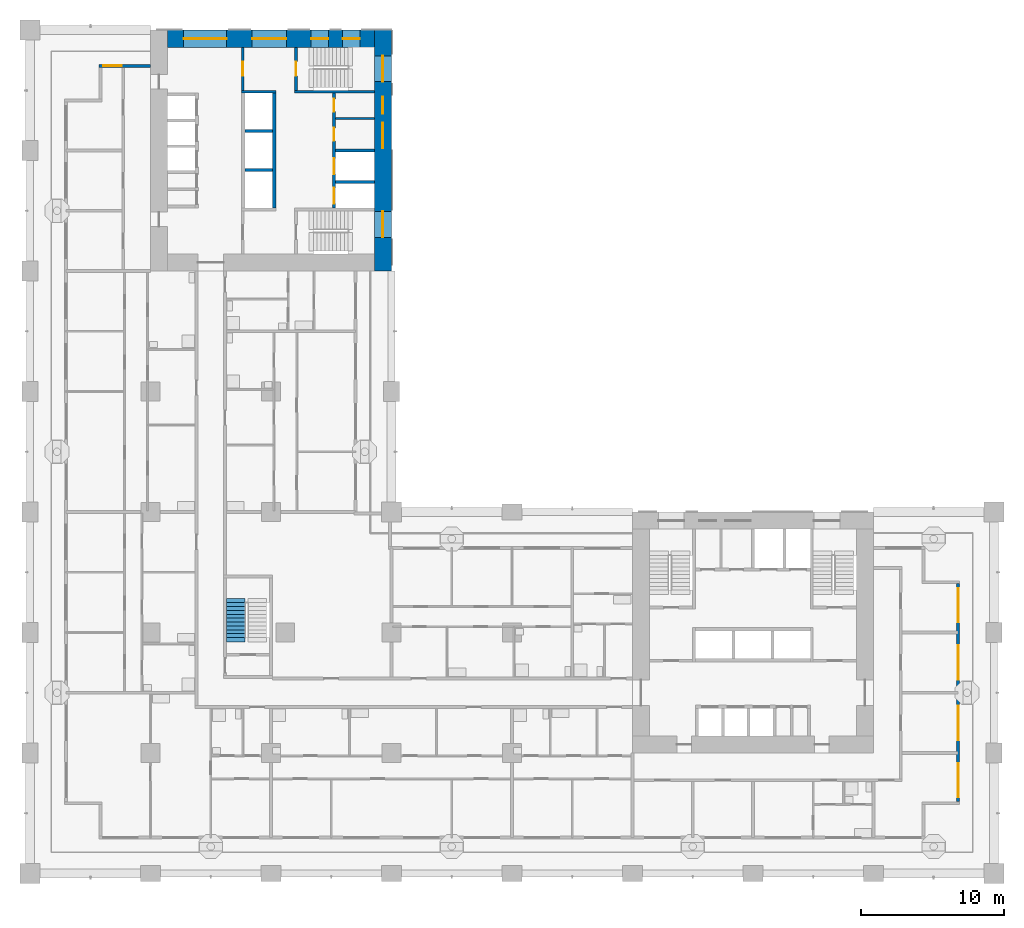
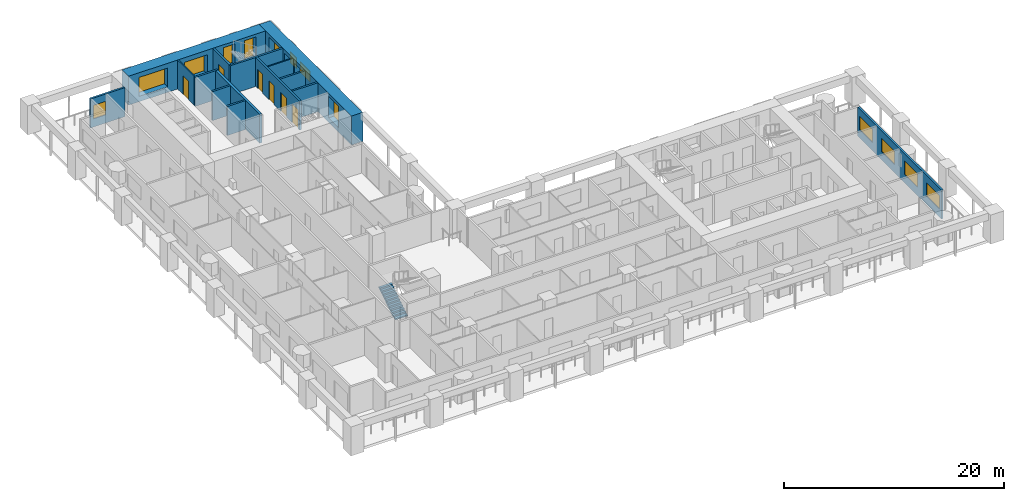
# One storey, part 9 of 20: 15 walls, 13 windows, 6 doors, 1 stair flight, 19 openings, 1 element without a shape of its own.
"""IFC4 building model written with IfcOpenShell, lengths in metres."""

from ifc_helpers import new_model, si_unit, direction, frame, frame_2d, origin, place, context, subcontext, project, spatial, polyline, rectangle, outline, extrude, material, layer, layer_set, type_object, element, fill, aggregate, save


model = new_model("IFC4")

# Units and contexts
model_context = context("Model", 3, precision=1e-05, world=origin(), true_north=direction((0.0, 1.0)))
body_context = subcontext(model_context, "Body", "Model", "MODEL_VIEW")
ifc_project = project(units=[si_unit("LENGTHUNIT", "METRE"), si_unit("AREAUNIT", "SQUARE_METRE"), si_unit("VOLUMEUNIT", "CUBIC_METRE"), si_unit("PLANEANGLEUNIT", "RADIAN"), si_unit("MASSUNIT", "GRAM", prefix="KILO")], contexts=[model_context])

# Site, building, storey
site_placement = place(None, origin())
site = spatial("IfcSite", under=ifc_project, at=site_placement, CompositionType="ELEMENT")
building_placement = place(site_placement, origin())
building = spatial("IfcBuilding", under=site, at=building_placement, Name="Vermilion Gate Residences", CompositionType="ELEMENT")
storey_placement = place(building_placement, frame((0.0, 0.0, 39.199951171875)))
storey = spatial("IfcBuildingStorey", under=building, at=storey_placement, Name="L08", CompositionType="ELEMENT", Elevation=39.199951171875)

# Wall
ifc_material_1 = material(Name="Masonry blockwork", Category="masonry")
ifc_layer_1 = layer(ifc_material_1, 0.14990234375)
ifc_layer_set_1 = layer_set([ifc_layer_1], Name="BLOCKWORK PARTITION 150 EI 120")
wall_type_1 = type_object("IfcWallType", Name="BLOCKWORK PARTITION 150 EI 120", PredefinedType="PARTITIONING", material=ifc_layer_set_1)
wall_1_placement = place(storey_placement, frame((21.300048828125, 52.637451171875, 0.0), z_axis=(0.0, 0.0, 1.0), x_axis=(1.0, 0.0, 0.0)))
element("IfcWall", 1, at=wall_1_placement, inside=storey, type_object=wall_type_1, Name="Core room partition B08-NR-P0", PredefinedType="PARTITIONING", context=body_context, shape_type="SweptSolid", body=[
    extrude(rectangle(XDim=2.699951171875, YDim=0.14990234375, at=frame_2d((1.35009765625, 0.0))), origin(), (0.0, 0.0, 1.0), 3.219970703125),
])

# Wall, opening, door
wall_2_placement = place(storey_placement, frame((14.824951171875, 57.60009765625, 0.0), z_axis=(0.0, 0.0, 1.0), x_axis=(0.0, -1.0, 0.0)))
wall_2 = element("IfcWall", 2, at=wall_2_placement, inside=storey, type_object=wall_type_1, Name="Core room partition B08-VW-S", PredefinedType="PARTITIONING", context=body_context, shape_type="SweptSolid", body=[
    extrude(rectangle(XDim=3.0, YDim=0.14990234375, at=frame_2d((1.5, 0.0))), origin(), (0.0, 0.0, 1.0), 3.219970703125),
])
opening_1_placement = place(wall_2_placement, frame((1.0, 0.0, 0.0)))
opening_1 = element("IfcOpeningElement", 3, at=opening_1_placement, cuts=wall_2, Name="Opening DK08113", PredefinedType="OPENING", context=body_context, shape_type="SweptSolid", body=[
    extrude(rectangle(XDim=1.0, YDim=2.10009765625, at=frame_2d((0.5, 1.050048828125))), frame((0.0, 0.0849609375, 0.0), z_axis=(0.0, -1.0, 0.0), x_axis=(1.0, 0.0, 0.0)), (0.0, 0.0, 1.0), 0.169921875),
])
ifc_material_2 = material(Name="Steel", Category="steel")
door_type_1 = type_object("IfcDoorType", Name="FIRE DOOR FD60 1000 X 2100", OperationType="SINGLE_SWING_LEFT", PredefinedType="DOOR", material=ifc_material_2)
door_1_placement = place(opening_1_placement, frame((1.0, 0.0, 0.0), z_axis=(0.0, 0.0, 1.0), x_axis=(-1.0, 0.0, 0.0)))
door_1 = element("IfcDoor", 4, at=door_1_placement, inside=storey, type_object=door_type_1, Name="Stair vestibule door B08", OperationType="SINGLE_SWING_RIGHT", OverallHeight=2.10009765625, OverallWidth=1.0, PredefinedType="DOOR", context=body_context, shape_type="SweptSolid", body=[
    extrude(rectangle(XDim=1.0, YDim=2.10009765625, at=frame_2d((0.5, 1.050048828125))), frame((0.0, 0.02490234375, 0.0), z_axis=(0.0, -1.0, 0.0), x_axis=(1.0, 0.0, 0.0)), (0.0, 0.0, 1.0), 0.050048828125),
])
fill(opening_1, door_1)

# Wall, opening, window
ifc_material_3 = material(Name="Insulated steel stud wall with terracotta rainscreen", Category="masonry")
ifc_layer_2 = layer(ifc_material_3, 0.199951171875)
ifc_layer_set_2 = layer_set([ifc_layer_2], Name="EXTERNAL WALL 200 TERRACOTTA RAINSCREEN")
wall_type_2 = type_object("IfcWallType", Name="EXTERNAL WALL 200 TERRACOTTA RAINSCREEN", PredefinedType="SOLIDWALL", material=ifc_layer_set_2)
wall_3_placement = place(storey_placement, frame((8.39990234375, 56.300048828125, 0.0), z_axis=(0.0, 0.0, 1.0), x_axis=(-1.0, 0.0, 0.0)))
wall_3 = element("IfcWall", 5, at=wall_3_placement, inside=storey, type_object=wall_type_2, Name="External wall", PredefinedType="SOLIDWALL", context=body_context, shape_type="SweptSolid", body=[
    extrude(rectangle(XDim=3.599853515625, YDim=0.199951171875, at=frame_2d((1.7998046875, 0.0))), origin(), (0.0, 0.0, 1.0), 3.219970703125),
])
opening_2_placement = place(wall_3_placement, frame((2.0, 0.0, 0.89990234375)))
opening_2 = element("IfcOpeningElement", 6, at=opening_2_placement, cuts=wall_3, Name="Opening WE08001", PredefinedType="OPENING", context=body_context, shape_type="SweptSolid", body=[
    extrude(rectangle(XDim=1.300048828125, YDim=1.5, at=frame_2d((0.64990234375, 0.75))), frame((0.0, 0.10986328125, 0.0), z_axis=(0.0, -1.0, 0.0), x_axis=(1.0, 0.0, 0.0)), (0.0, 0.0, 1.0), 0.219970703125),
])
ifc_material_4 = material(Name="Aluminium and clear glass", Category="aluminium")
window_type_1 = type_object("IfcWindowType", Name="WINDOW 1300 X 1500", PartitioningType="SINGLE_PANEL", PredefinedType="WINDOW", material=ifc_material_4)
window_1_placement = place(opening_2_placement, origin())
window_1 = element("IfcWindow", 7, at=window_1_placement, inside=storey, type_object=window_type_1, Name="Window", OverallHeight=1.5, OverallWidth=1.300048828125, PartitioningType="SINGLE_PANEL", PredefinedType="WINDOW", context=body_context, shape_type="SweptSolid", body=[
    extrude(rectangle(XDim=1.300048828125, YDim=1.5, at=frame_2d((0.64990234375, 0.75))), frame((0.0, 0.030029296875, 0.0), z_axis=(0.0, -1.0, 0.0), x_axis=(1.0, 0.0, 0.0)), (0.0, 0.0, 1.0), 0.06005859375),
])
fill(opening_2, window_1)

# Wall, openings, windows
wall_4_placement = place(storey_placement, frame((64.699951171875, 5.0, 0.0), z_axis=(0.0, 0.0, 1.0), x_axis=(0.0, 1.0, 0.0)))
wall_4 = element("IfcWall", 8, at=wall_4_placement, inside=storey, type_object=wall_type_2, Name="External wall", PredefinedType="SOLIDWALL", context=body_context, shape_type="SweptSolid", body=[
    extrude(rectangle(XDim=15.199951171875, YDim=0.199951171875, at=frame_2d((7.60009765625, 0.0))), origin(), (0.0, 0.0, 1.0), 3.219970703125),
])
opening_3_placement = place(wall_4_placement, frame((0.300048828125, 0.0, 0.89990234375)))
opening_3 = element("IfcOpeningElement", 9, at=opening_3_placement, cuts=wall_4, Name="Opening WE08028", PredefinedType="OPENING", context=body_context, shape_type="SweptSolid", body=[
    extrude(rectangle(XDim=2.39990234375, YDim=1.5, at=frame_2d((1.199951171875, 0.75))), frame((0.0, 0.10986328125, 0.0), z_axis=(0.0, -1.0, 0.0), x_axis=(1.0, 0.0, 0.0)), (0.0, 0.0, 1.0), 0.219970703125),
])
opening_4_placement = place(wall_4_placement, frame((4.300048828125, 0.0, 0.89990234375)))
opening_4 = element("IfcOpeningElement", 10, at=opening_4_placement, cuts=wall_4, Name="Opening WE08029", PredefinedType="OPENING", context=body_context, shape_type="SweptSolid", body=[
    extrude(rectangle(XDim=2.39990234375, YDim=1.5, at=frame_2d((1.199951171875, 0.75))), frame((0.0, 0.10986328125, 0.0), z_axis=(0.0, -1.0, 0.0), x_axis=(1.0, 0.0, 0.0)), (0.0, 0.0, 1.0), 0.219970703125),
])
opening_5_placement = place(wall_4_placement, frame((8.5, 0.0, 0.89990234375)))
opening_5 = element("IfcOpeningElement", 11, at=opening_5_placement, cuts=wall_4, Name="Opening WE08030", PredefinedType="OPENING", context=body_context, shape_type="SweptSolid", body=[
    extrude(rectangle(XDim=2.39990234375, YDim=1.5, at=frame_2d((1.199951171875, 0.75))), frame((0.0, 0.10986328125, 0.0), z_axis=(0.0, -1.0, 0.0), x_axis=(1.0, 0.0, 0.0)), (0.0, 0.0, 1.0), 0.219970703125),
])
opening_6_placement = place(wall_4_placement, frame((12.5, 0.0, 0.89990234375)))
opening_6 = element("IfcOpeningElement", 12, at=opening_6_placement, cuts=wall_4, Name="Opening WE08031", PredefinedType="OPENING", context=body_context, shape_type="SweptSolid", body=[
    extrude(rectangle(XDim=2.39990234375, YDim=1.5, at=frame_2d((1.199951171875, 0.75))), frame((0.0, 0.10986328125, 0.0), z_axis=(0.0, -1.0, 0.0), x_axis=(1.0, 0.0, 0.0)), (0.0, 0.0, 1.0), 0.219970703125),
])
ifc_material_5 = material(Name="Aluminium and clear glass", Category="aluminium")
window_type_2 = type_object("IfcWindowType", Name="WINDOW 2400 X 1500", PartitioningType="SINGLE_PANEL", PredefinedType="WINDOW", material=ifc_material_5)
window_2_placement = place(opening_3_placement, origin())
window_2 = element("IfcWindow", 13, at=window_2_placement, inside=storey, type_object=window_type_2, Name="Window", OverallHeight=1.5, OverallWidth=2.39990234375, PartitioningType="SINGLE_PANEL", PredefinedType="WINDOW", context=body_context, shape_type="SweptSolid", body=[
    extrude(rectangle(XDim=2.39990234375, YDim=1.5, at=frame_2d((1.199951171875, 0.75))), frame((0.0, 0.030029296875, 0.0), z_axis=(0.0, -1.0, 0.0), x_axis=(1.0, 0.0, 0.0)), (0.0, 0.0, 1.0), 0.06005859375),
])
fill(opening_3, window_2)
window_3_placement = place(opening_4_placement, origin())
window_3 = element("IfcWindow", 14, at=window_3_placement, inside=storey, type_object=window_type_2, Name="Window", OverallHeight=1.5, OverallWidth=2.39990234375, PartitioningType="SINGLE_PANEL", PredefinedType="WINDOW", context=body_context, shape_type="SweptSolid", body=[
    extrude(rectangle(XDim=2.39990234375, YDim=1.5, at=frame_2d((1.199951171875, 0.75))), frame((0.0, 0.030029296875, 0.0), z_axis=(0.0, -1.0, 0.0), x_axis=(1.0, 0.0, 0.0)), (0.0, 0.0, 1.0), 0.06005859375),
])
fill(opening_4, window_3)
window_4_placement = place(opening_5_placement, origin())
window_4 = element("IfcWindow", 15, at=window_4_placement, inside=storey, type_object=window_type_2, Name="Window", OverallHeight=1.5, OverallWidth=2.39990234375, PartitioningType="SINGLE_PANEL", PredefinedType="WINDOW", context=body_context, shape_type="SweptSolid", body=[
    extrude(rectangle(XDim=2.39990234375, YDim=1.5, at=frame_2d((1.199951171875, 0.75))), frame((0.0, 0.030029296875, 0.0), z_axis=(0.0, -1.0, 0.0), x_axis=(1.0, 0.0, 0.0)), (0.0, 0.0, 1.0), 0.06005859375),
])
fill(opening_5, window_4)
window_5_placement = place(opening_6_placement, origin())
window_5 = element("IfcWindow", 16, at=window_5_placement, inside=storey, type_object=window_type_2, Name="Window", OverallHeight=1.5, OverallWidth=2.39990234375, PartitioningType="SINGLE_PANEL", PredefinedType="WINDOW", context=body_context, shape_type="SweptSolid", body=[
    extrude(rectangle(XDim=2.39990234375, YDim=1.5, at=frame_2d((1.199951171875, 0.75))), frame((0.0, 0.030029296875, 0.0), z_axis=(0.0, -1.0, 0.0), x_axis=(1.0, 0.0, 0.0)), (0.0, 0.0, 1.0), 0.06005859375),
])
fill(opening_6, window_5)

# Walls
ifc_material_6 = material(Name="Concrete C60", Category="concrete")
ifc_layer_3 = layer(ifc_material_6, 0.199951171875)
ifc_layer_set_3 = layer_set([ifc_layer_3], Name="RC CORE INTERNAL WALL 200 C60")
wall_type_3 = type_object("IfcWallType", Name="RC CORE INTERNAL WALL 200 C60", PredefinedType="SHEAR", material=ifc_layer_set_3)
for number, where, z_axis, x_axis, name in (
    (17, (15.0, 51.7666015625, 0.0), (0.0, 0.0, 1.0), (1.0, 0.0, 0.0), "Core internal wall B08-HR-D1"),
    (18, (15.0, 49.033447265625, 0.0), (0.0, 0.0, 1.0), (1.0, 0.0, 0.0), "Core internal wall B08-HR-D2"),
):
    element("IfcWall", number, at=place(storey_placement, frame(where, z_axis=z_axis, x_axis=x_axis)), inside=storey, type_object=wall_type_3, Name=name, PredefinedType="SHEAR", context=body_context, shape_type="SweptSolid", body=[
        extrude(rectangle(XDim=1.89990234375, YDim=0.199951171875, at=frame_2d((0.949951171875, 0.0))), origin(), (0.0, 0.0, 1.0), 3.219970703125),
    ])
for number, where, z_axis, x_axis, name in (
    (19, (21.300048828125, 50.39990234375, 0.0), (0.0, 0.0, 1.0), (1.0, 0.0, 0.0), "Core internal wall B08-FF-D0"),
    (20, (21.300048828125, 48.199951171875, 0.0), (0.0, 0.0, 1.0), (1.0, 0.0, 0.0), "Core internal wall B08-FF-D1"),
):
    element("IfcWall", number, at=place(storey_placement, frame(where, z_axis=z_axis, x_axis=x_axis)), inside=storey, type_object=wall_type_3, Name=name, PredefinedType="SHEAR", context=body_context, shape_type="SweptSolid", body=[
        extrude(rectangle(XDim=2.699951171875, YDim=0.199951171875, at=frame_2d((1.35009765625, 0.0))), origin(), (0.0, 0.0, 1.0), 3.219970703125),
    ])

# Wall, openings, doors
wall_5_placement = place(storey_placement, frame((21.199951171875, 54.39990234375, 0.0), z_axis=(0.0, 0.0, 1.0), x_axis=(0.0, -1.0, 0.0)))
wall_5 = element("IfcWall", 21, at=wall_5_placement, inside=storey, type_object=wall_type_3, Name="Core internal wall B08-FF-F", PredefinedType="SHEAR", context=body_context, shape_type="SweptSolid", body=[
    extrude(rectangle(XDim=8.0, YDim=0.199951171875, at=frame_2d((4.0, 0.0))), origin(), (0.0, 0.0, 1.0), 3.219970703125),
])
opening_7_placement = place(wall_5_placement, frame((0.393798828125, 0.0, 0.0)))
opening_7 = element("IfcOpeningElement", 22, at=opening_7_placement, cuts=wall_5, Name="Opening DK08109", PredefinedType="OPENING", context=body_context, shape_type="SweptSolid", body=[
    extrude(rectangle(XDim=0.89990234375, YDim=2.10009765625, at=frame_2d((0.449951171875, 1.050048828125))), frame((0.0, 0.10986328125, 0.0), z_axis=(0.0, -1.0, 0.0), x_axis=(1.0, 0.0, 0.0)), (0.0, 0.0, 1.0), 0.219970703125),
])
opening_8_placement = place(wall_5_placement, frame((2.418701171875, 0.0, 0.0)))
opening_8 = element("IfcOpeningElement", 23, at=opening_8_placement, cuts=wall_5, Name="Opening DK08110", PredefinedType="OPENING", context=body_context, shape_type="SweptSolid", body=[
    extrude(rectangle(XDim=0.89990234375, YDim=2.10009765625, at=frame_2d((0.449951171875, 1.050048828125))), frame((0.0, 0.10986328125, 0.0), z_axis=(0.0, -1.0, 0.0), x_axis=(1.0, 0.0, 0.0)), (0.0, 0.0, 1.0), 0.219970703125),
])
opening_9_placement = place(wall_5_placement, frame((4.550048828125, 0.0, 0.0)))
opening_9 = element("IfcOpeningElement", 24, at=opening_9_placement, cuts=wall_5, Name="Opening LD", PredefinedType="OPENING", context=body_context, shape_type="SweptSolid", body=[
    extrude(rectangle(XDim=1.10009765625, YDim=2.10009765625, at=frame_2d((0.550048828125, 1.050048828125))), frame((0.0, 0.10986328125, 0.0), z_axis=(0.0, -1.0, 0.0), x_axis=(1.0, 0.0, 0.0)), (0.0, 0.0, 1.0), 0.219970703125),
])
opening_10_placement = place(wall_5_placement, frame((6.60009765625, 0.0, 0.0)))
opening_10 = element("IfcOpeningElement", 25, at=opening_10_placement, cuts=wall_5, Name="Opening LD", PredefinedType="OPENING", context=body_context, shape_type="SweptSolid", body=[
    extrude(rectangle(XDim=1.10009765625, YDim=2.10009765625, at=frame_2d((0.550048828125, 1.050048828125))), frame((0.0, 0.10986328125, 0.0), z_axis=(0.0, -1.0, 0.0), x_axis=(1.0, 0.0, 0.0)), (0.0, 0.0, 1.0), 0.219970703125),
])
ifc_material_7 = material(Name="Stainless steel", Category="steel")
door_type_2 = type_object("IfcDoorType", Name="LIFT LANDING DOOR E60 1100 X 2100", OperationType="DOUBLE_DOOR_SLIDING", PredefinedType="DOOR", material=ifc_material_7)
door_2_placement = place(opening_9_placement, origin())
door_2 = element("IfcDoor", 26, at=door_2_placement, inside=storey, type_object=door_type_2, Name="Lift landing door LFB1", OperationType="DOUBLE_DOOR_SLIDING", OverallHeight=2.10009765625, OverallWidth=1.10009765625, PredefinedType="DOOR", context=body_context, shape_type="SweptSolid", body=[
    extrude(rectangle(XDim=1.10009765625, YDim=2.10009765625, at=frame_2d((0.550048828125, 1.050048828125))), frame((0.0, 0.02490234375, 0.0), z_axis=(0.0, -1.0, 0.0), x_axis=(1.0, 0.0, 0.0)), (0.0, 0.0, 1.0), 0.050048828125),
])
fill(opening_9, door_2)
door_3_placement = place(opening_10_placement, origin())
door_3 = element("IfcDoor", 27, at=door_3_placement, inside=storey, type_object=door_type_2, Name="Lift landing door LCB1", OperationType="DOUBLE_DOOR_SLIDING", OverallHeight=2.10009765625, OverallWidth=1.10009765625, PredefinedType="DOOR", context=body_context, shape_type="SweptSolid", body=[
    extrude(rectangle(XDim=1.10009765625, YDim=2.10009765625, at=frame_2d((0.550048828125, 1.050048828125))), frame((0.0, 0.02490234375, 0.0), z_axis=(0.0, -1.0, 0.0), x_axis=(1.0, 0.0, 0.0)), (0.0, 0.0, 1.0), 0.050048828125),
])
fill(opening_10, door_3)
ifc_material_8 = material(Name="Steel", Category="steel")
door_type_3 = type_object("IfcDoorType", Name="SERVICE ROOM DOOR FD60 900 X 2100", OperationType="SINGLE_SWING_LEFT", PredefinedType="DOOR", material=ifc_material_8)
door_4_placement = place(opening_7_placement, origin())
door_4 = element("IfcDoor", 28, at=door_4_placement, inside=storey, type_object=door_type_3, Name="Communications riser B08", OperationType="SINGLE_SWING_RIGHT", OverallHeight=2.10009765625, OverallWidth=0.89990234375, PredefinedType="DOOR", context=body_context, shape_type="SweptSolid", body=[
    extrude(rectangle(XDim=0.89990234375, YDim=2.10009765625, at=frame_2d((0.449951171875, 1.050048828125))), frame((0.0, 0.02490234375, 0.0), z_axis=(0.0, -1.0, 0.0), x_axis=(1.0, 0.0, 0.0)), (0.0, 0.0, 1.0), 0.050048828125),
])
fill(opening_7, door_4)
door_5_placement = place(opening_8_placement, origin())
door_5 = element("IfcDoor", 29, at=door_5_placement, inside=storey, type_object=door_type_3, Name="Refuse room B08", OperationType="SINGLE_SWING_RIGHT", OverallHeight=2.10009765625, OverallWidth=0.89990234375, PredefinedType="DOOR", context=body_context, shape_type="SweptSolid", body=[
    extrude(rectangle(XDim=0.89990234375, YDim=2.10009765625, at=frame_2d((0.449951171875, 1.050048828125))), frame((0.0, 0.02490234375, 0.0), z_axis=(0.0, -1.0, 0.0), x_axis=(1.0, 0.0, 0.0)), (0.0, 0.0, 1.0), 0.050048828125),
])
fill(opening_8, door_5)

# Walls
wall_6_placement = place(storey_placement, frame((14.75, 54.5, 0.0), z_axis=(0.0, 0.0, 1.0), x_axis=(1.0, 0.0, 0.0)))
element("IfcWall", 30, at=wall_6_placement, inside=storey, type_object=wall_type_3, Name="Core internal wall B08-WDIV1", PredefinedType="SHEAR", context=body_context, shape_type="SweptSolid", body=[
    extrude(rectangle(XDim=2.39990234375, YDim=0.199951171875, at=frame_2d((1.199951171875, 0.0))), origin(), (0.0, 0.0, 1.0), 3.219970703125),
])
wall_7_placement = place(storey_placement, frame((18.449951171875, 54.5, 0.0), z_axis=(0.0, 0.0, 1.0), x_axis=(1.0, 0.0, 0.0)))
element("IfcWall", 31, at=wall_7_placement, inside=storey, type_object=wall_type_3, Name="Core internal wall B08-WDIV2", PredefinedType="SHEAR", context=body_context, shape_type="SweptSolid", body=[
    extrude(rectangle(XDim=5.550048828125, YDim=0.199951171875, at=frame_2d((2.77490234375, 0.0))), origin(), (0.0, 0.0, 1.0), 3.219970703125),
])

# Wall, opening, door
wall_8_placement = place(storey_placement, frame((18.550048828125, 57.60009765625, 0.0), z_axis=(0.0, 0.0, 1.0), x_axis=(0.0, -1.0, 0.0)))
wall_8 = element("IfcWall", 32, at=wall_8_placement, inside=storey, type_object=wall_type_3, Name="Core internal wall B08-STW-S", PredefinedType="SHEAR", context=body_context, shape_type="SweptSolid", body=[
    extrude(rectangle(XDim=3.0, YDim=0.199951171875, at=frame_2d((1.5, 0.0))), origin(), (0.0, 0.0, 1.0), 3.219970703125),
])
opening_11_placement = place(wall_8_placement, frame((1.0, 0.0, 0.0)))
opening_11 = element("IfcOpeningElement", 33, at=opening_11_placement, cuts=wall_8, Name="Opening DK08114", PredefinedType="OPENING", context=body_context, shape_type="SweptSolid", body=[
    extrude(rectangle(XDim=1.0, YDim=2.10009765625, at=frame_2d((0.5, 1.050048828125))), frame((0.0, 0.10986328125, 0.0), z_axis=(0.0, -1.0, 0.0), x_axis=(1.0, 0.0, 0.0)), (0.0, 0.0, 1.0), 0.219970703125),
])
door_6_placement = place(opening_11_placement, origin())
door_6 = element("IfcDoor", 34, at=door_6_placement, inside=storey, type_object=door_type_1, Name="Stair door B08", OperationType="SINGLE_SWING_LEFT", OverallHeight=2.10009765625, OverallWidth=1.0, PredefinedType="DOOR", context=body_context, shape_type="SweptSolid", body=[
    extrude(rectangle(XDim=1.0, YDim=2.10009765625, at=frame_2d((0.5, 1.050048828125))), frame((0.0, 0.02490234375, 0.0), z_axis=(0.0, -1.0, 0.0), x_axis=(1.0, 0.0, 0.0)), (0.0, 0.0, 1.0), 0.050048828125),
])
fill(opening_11, door_6)

# Wall, openings, windows
ifc_material_9 = material(Name="Concrete C80 red-oxide pigmented", Category="concrete")
ifc_layer_4 = layer(ifc_material_9, 1.199951171875)
ifc_layer_set_4 = layer_set([ifc_layer_4], Name="RC CORE WALL 1200 C80 RED OXIDE")
wall_type_4 = type_object("IfcWallType", Name="RC CORE WALL 1200 C80 RED OXIDE", PredefinedType="SHEAR", material=ifc_layer_set_4)
wall_9_placement = place(storey_placement, frame((24.60009765625, 58.800048828125, 0.0), z_axis=(0.0, 0.0, 1.0), x_axis=(0.0, -1.0, 0.0)))
wall_9 = element("IfcWall", 35, at=wall_9_placement, inside=storey, type_object=wall_type_4, Name="Core wall B08-OUT-B1", PredefinedType="SHEAR", context=body_context, shape_type="SweptSolid", body=[
    extrude(rectangle(XDim=16.800048828125, YDim=1.199951171875, at=frame_2d((8.39990234375, 0.0))), origin(), (0.0, 0.0, 1.0), 3.219970703125),
])
opening_12_placement = place(wall_9_placement, frame((1.800048828125, 0.0, 0.5)))
opening_12 = element("IfcOpeningElement", 36, at=opening_12_placement, cuts=wall_9, Name="Opening WKB0801", PredefinedType="OPENING", context=body_context, shape_type="SweptSolid", body=[
    extrude(rectangle(XDim=1.800048828125, YDim=2.39990234375, at=frame_2d((0.89990234375, 1.199951171875))), frame((0.0, 0.60986328125, 0.0), z_axis=(0.0, -1.0, 0.0), x_axis=(1.0, 0.0, 0.0)), (0.0, 0.0, 1.0), 1.219970703125),
])
opening_13_placement = place(wall_9_placement, frame((4.643798828125, 0.0, 1.60009765625)))
opening_13 = element("IfcOpeningElement", 37, at=opening_13_placement, cuts=wall_9, Name="Opening WKB0802", PredefinedType="OPENING", context=body_context, shape_type="SweptSolid", body=[
    extrude(rectangle(XDim=1.199951171875, YDim=1.199951171875, at=frame_2d((0.60009765625, 0.60009765625))), frame((0.0, 0.60986328125, 0.0), z_axis=(0.0, -1.0, 0.0), x_axis=(1.0, 0.0, 0.0)), (0.0, 0.0, 1.0), 1.219970703125),
])
opening_14_placement = place(wall_9_placement, frame((6.449951171875, 0.0, 1.60009765625)))
opening_14 = element("IfcOpeningElement", 38, at=opening_14_placement, cuts=wall_9, Name="Opening WKB0803", PredefinedType="OPENING", context=body_context, shape_type="SweptSolid", body=[
    extrude(rectangle(XDim=1.800048828125, YDim=1.199951171875, at=frame_2d((0.89990234375, 0.60009765625))), frame((0.0, 0.60986328125, 0.0), z_axis=(0.0, -1.0, 0.0), x_axis=(1.0, 0.0, 0.0)), (0.0, 0.0, 1.0), 1.219970703125),
])
opening_15_placement = place(wall_9_placement, frame((12.64990234375, 0.0, 0.5)))
opening_15 = element("IfcOpeningElement", 39, at=opening_15_placement, cuts=wall_9, Name="Opening WKB0804", PredefinedType="OPENING", context=body_context, shape_type="SweptSolid", body=[
    extrude(rectangle(XDim=1.800048828125, YDim=2.39990234375, at=frame_2d((0.89990234375, 1.199951171875))), frame((0.0, 0.60986328125, 0.0), z_axis=(0.0, -1.0, 0.0), x_axis=(1.0, 0.0, 0.0)), (0.0, 0.0, 1.0), 1.219970703125),
])
ifc_material_10 = material(Name="Aluminium frame with louvre blades", Category="aluminium")
window_type_3 = type_object("IfcWindowType", Name="CORE LOUVRE 1200 X 1200", PartitioningType="SINGLE_PANEL", PredefinedType="WINDOW", material=ifc_material_10)
window_6_placement = place(opening_13_placement, origin())
window_6 = element("IfcWindow", 40, at=window_6_placement, inside=storey, type_object=window_type_3, Name="Core louvre", OverallHeight=1.199951171875, OverallWidth=1.199951171875, PartitioningType="SINGLE_PANEL", PredefinedType="WINDOW", context=body_context, shape_type="SweptSolid", body=[
    extrude(rectangle(XDim=1.199951171875, YDim=1.199951171875, at=frame_2d((0.60009765625, 0.60009765625))), frame((0.0, 0.030029296875, 0.0), z_axis=(0.0, -1.0, 0.0), x_axis=(1.0, 0.0, 0.0)), (0.0, 0.0, 1.0), 0.06005859375),
])
fill(opening_13, window_6)
ifc_material_11 = material(Name="Aluminium frame with louvre blades", Category="aluminium")
window_type_4 = type_object("IfcWindowType", Name="CORE LOUVRE 1800 X 1200", PartitioningType="SINGLE_PANEL", PredefinedType="WINDOW", material=ifc_material_11)
window_7_placement = place(opening_14_placement, origin())
window_7 = element("IfcWindow", 41, at=window_7_placement, inside=storey, type_object=window_type_4, Name="Core louvre", OverallHeight=1.199951171875, OverallWidth=1.800048828125, PartitioningType="SINGLE_PANEL", PredefinedType="WINDOW", context=body_context, shape_type="SweptSolid", body=[
    extrude(rectangle(XDim=1.800048828125, YDim=1.199951171875, at=frame_2d((0.89990234375, 0.60009765625))), frame((0.0, 0.030029296875, 0.0), z_axis=(0.0, -1.0, 0.0), x_axis=(1.0, 0.0, 0.0)), (0.0, 0.0, 1.0), 0.06005859375),
])
fill(opening_14, window_7)
ifc_material_12 = material(Name="Aluminium and clear glass", Category="aluminium")
window_type_5 = type_object("IfcWindowType", Name="CORE STAIR WINDOW 1800 X 2400", PartitioningType="SINGLE_PANEL", PredefinedType="WINDOW", material=ifc_material_12)
window_8_placement = place(opening_12_placement, origin())
window_8 = element("IfcWindow", 42, at=window_8_placement, inside=storey, type_object=window_type_5, Name="Core stair window", OverallHeight=2.39990234375, OverallWidth=1.800048828125, PartitioningType="SINGLE_PANEL", PredefinedType="WINDOW", context=body_context, shape_type="SweptSolid", body=[
    extrude(rectangle(XDim=1.800048828125, YDim=2.39990234375, at=frame_2d((0.89990234375, 1.199951171875))), frame((0.0, 0.030029296875, 0.0), z_axis=(0.0, -1.0, 0.0), x_axis=(1.0, 0.0, 0.0)), (0.0, 0.0, 1.0), 0.06005859375),
])
fill(opening_12, window_8)
window_9_placement = place(opening_15_placement, origin())
window_9 = element("IfcWindow", 43, at=window_9_placement, inside=storey, type_object=window_type_5, Name="Core stair window", OverallHeight=2.39990234375, OverallWidth=1.800048828125, PartitioningType="SINGLE_PANEL", PredefinedType="WINDOW", context=body_context, shape_type="SweptSolid", body=[
    extrude(rectangle(XDim=1.800048828125, YDim=2.39990234375, at=frame_2d((0.89990234375, 1.199951171875))), frame((0.0, 0.030029296875, 0.0), z_axis=(0.0, -1.0, 0.0), x_axis=(1.0, 0.0, 0.0)), (0.0, 0.0, 1.0), 0.06005859375),
])
fill(opening_15, window_9)

wall_10_placement = place(storey_placement, frame((9.60009765625, 58.199951171875, 0.0), z_axis=(0.0, 0.0, 1.0), x_axis=(1.0, 0.0, 0.0)))
wall_10 = element("IfcWall", 44, at=wall_10_placement, inside=storey, type_object=wall_type_4, Name="Core wall B08-OUT-FR", PredefinedType="SHEAR", context=body_context, shape_type="SweptSolid", body=[
    extrude(rectangle(XDim=14.39990234375, YDim=1.199951171875, at=frame_2d((7.199951171875, 0.0))), origin(), (0.0, 0.0, 1.0), 3.219970703125),
])
opening_16_placement = place(wall_10_placement, frame((1.10498046875, 0.0, 0.60009765625)))
opening_16 = element("IfcOpeningElement", 45, at=opening_16_placement, cuts=wall_10, Name="Opening WKB0805", PredefinedType="OPENING", context=body_context, shape_type="SweptSolid", body=[
    extrude(rectangle(XDim=3.0, YDim=2.10009765625, at=frame_2d((1.5, 1.050048828125))), frame((0.0, 0.60986328125, 0.0), z_axis=(0.0, -1.0, 0.0), x_axis=(1.0, 0.0, 0.0)), (0.0, 0.0, 1.0), 1.219970703125),
])
opening_17_placement = place(wall_10_placement, frame((5.875, 0.0, 0.60009765625)))
opening_17 = element("IfcOpeningElement", 46, at=opening_17_placement, cuts=wall_10, Name="Opening WKB0806", PredefinedType="OPENING", context=body_context, shape_type="SweptSolid", body=[
    extrude(rectangle(XDim=2.39990234375, YDim=2.10009765625, at=frame_2d((1.199951171875, 1.050048828125))), frame((0.0, 0.60986328125, 0.0), z_axis=(0.0, -1.0, 0.0), x_axis=(1.0, 0.0, 0.0)), (0.0, 0.0, 1.0), 1.219970703125),
])
opening_18_placement = place(wall_10_placement, frame((9.993408203125, 0.0, 0.5)))
opening_18 = element("IfcOpeningElement", 47, at=opening_18_placement, cuts=wall_10, Name="Opening WKB0807", PredefinedType="OPENING", context=body_context, shape_type="SweptSolid", body=[
    extrude(rectangle(XDim=1.199951171875, YDim=2.39990234375, at=frame_2d((0.60009765625, 1.199951171875))), frame((0.0, 0.60986328125, 0.0), z_axis=(0.0, -1.0, 0.0), x_axis=(1.0, 0.0, 0.0)), (0.0, 0.0, 1.0), 1.219970703125),
])
opening_19_placement = place(wall_10_placement, frame((12.19677734375, 0.0, 0.5)))
opening_19 = element("IfcOpeningElement", 48, at=opening_19_placement, cuts=wall_10, Name="Opening WKB0808", PredefinedType="OPENING", context=body_context, shape_type="SweptSolid", body=[
    extrude(rectangle(XDim=1.199951171875, YDim=2.39990234375, at=frame_2d((0.60009765625, 1.199951171875))), frame((0.0, 0.60986328125, 0.0), z_axis=(0.0, -1.0, 0.0), x_axis=(1.0, 0.0, 0.0)), (0.0, 0.0, 1.0), 1.219970703125),
])
ifc_material_13 = material(Name="Aluminium and clear glass", Category="aluminium")
window_type_6 = type_object("IfcWindowType", Name="CORE LOBBY WINDOW 2400 X 2100", PartitioningType="SINGLE_PANEL", PredefinedType="WINDOW", material=ifc_material_13)
window_10_placement = place(opening_17_placement, origin())
window_10 = element("IfcWindow", 49, at=window_10_placement, inside=storey, type_object=window_type_6, Name="Core lobby window", OverallHeight=2.10009765625, OverallWidth=2.39990234375, PartitioningType="SINGLE_PANEL", PredefinedType="WINDOW", context=body_context, shape_type="SweptSolid", body=[
    extrude(rectangle(XDim=2.39990234375, YDim=2.10009765625, at=frame_2d((1.199951171875, 1.050048828125))), frame((0.0, 0.030029296875, 0.0), z_axis=(0.0, -1.0, 0.0), x_axis=(1.0, 0.0, 0.0)), (0.0, 0.0, 1.0), 0.06005859375),
])
fill(opening_17, window_10)
ifc_material_14 = material(Name="Aluminium and clear glass", Category="aluminium")
window_type_7 = type_object("IfcWindowType", Name="CORE LOBBY WINDOW 3000 X 2100", PartitioningType="SINGLE_PANEL", PredefinedType="WINDOW", material=ifc_material_14)
window_11_placement = place(opening_16_placement, origin())
window_11 = element("IfcWindow", 50, at=window_11_placement, inside=storey, type_object=window_type_7, Name="Core lobby window", OverallHeight=2.10009765625, OverallWidth=3.0, PartitioningType="SINGLE_PANEL", PredefinedType="WINDOW", context=body_context, shape_type="SweptSolid", body=[
    extrude(rectangle(XDim=3.0, YDim=2.10009765625, at=frame_2d((1.5, 1.050048828125))), frame((0.0, 0.030029296875, 0.0), z_axis=(0.0, -1.0, 0.0), x_axis=(1.0, 0.0, 0.0)), (0.0, 0.0, 1.0), 0.06005859375),
])
fill(opening_16, window_11)
ifc_material_15 = material(Name="Aluminium and clear glass", Category="aluminium")
window_type_8 = type_object("IfcWindowType", Name="CORE STAIR WINDOW 1200 X 2400", PartitioningType="SINGLE_PANEL", PredefinedType="WINDOW", material=ifc_material_15)
window_12_placement = place(opening_18_placement, origin())
window_12 = element("IfcWindow", 51, at=window_12_placement, inside=storey, type_object=window_type_8, Name="Core stair window", OverallHeight=2.39990234375, OverallWidth=1.199951171875, PartitioningType="SINGLE_PANEL", PredefinedType="WINDOW", context=body_context, shape_type="SweptSolid", body=[
    extrude(rectangle(XDim=1.199951171875, YDim=2.39990234375, at=frame_2d((0.60009765625, 1.199951171875))), frame((0.0, 0.030029296875, 0.0), z_axis=(0.0, -1.0, 0.0), x_axis=(1.0, 0.0, 0.0)), (0.0, 0.0, 1.0), 0.06005859375),
])
fill(opening_18, window_12)
window_13_placement = place(opening_19_placement, origin())
window_13 = element("IfcWindow", 52, at=window_13_placement, inside=storey, type_object=window_type_8, Name="Core stair window", OverallHeight=2.39990234375, OverallWidth=1.199951171875, PartitioningType="SINGLE_PANEL", PredefinedType="WINDOW", context=body_context, shape_type="SweptSolid", body=[
    extrude(rectangle(XDim=1.199951171875, YDim=2.39990234375, at=frame_2d((0.60009765625, 1.199951171875))), frame((0.0, 0.030029296875, 0.0), z_axis=(0.0, -1.0, 0.0), x_axis=(1.0, 0.0, 0.0)), (0.0, 0.0, 1.0), 0.06005859375),
])
fill(opening_19, window_13)

# Wall
ifc_material_16 = material(Name="Concrete C60", Category="concrete")
ifc_layer_5 = layer(ifc_material_16, 0.25)
ifc_layer_set_5 = layer_set([ifc_layer_5], Name="RC LIFT SHAFT WALL 250 C60")
wall_type_5 = type_object("IfcWallType", Name="RC LIFT SHAFT WALL 250 C60", PredefinedType="SHEAR", material=ifc_layer_set_5)
wall_11_placement = place(storey_placement, frame((17.02490234375, 54.39990234375, 0.0), z_axis=(0.0, 0.0, 1.0), x_axis=(0.0, -1.0, 0.0)))
element("IfcWall", 53, at=wall_11_placement, inside=storey, type_object=wall_type_5, Name="Lift shaft wall B08-HR-B", PredefinedType="SHEAR", context=body_context, shape_type="SweptSolid", body=[
    extrude(rectangle(XDim=8.0, YDim=0.25, at=frame_2d((4.0, 0.0))), origin(), (0.0, 0.0, 1.0), 3.219970703125),
])

# Stair, stair flight
ifc_material_17 = material(Name="Concrete C50", Category="concrete")
stair_type = type_object("IfcStairType", Name="SPECIAL ESCAPE STAIR 1300", PredefinedType="HALF_TURN_STAIR", material=ifc_material_17)
stair_placement = place(storey_placement, origin())
stair = element("IfcStair", 54, at=stair_placement, inside=storey, type_object=stair_type, Name="Special escape stair STC1-08", PredefinedType="HALF_TURN_STAIR")
ifc_material_18 = material(Name="Concrete C50", Category="concrete")
stair_flight_type = type_object("IfcStairFlightType", Name="STAIR FLIGHT 1300 RC C50", PredefinedType="STRAIGHT", material=ifc_material_18)
stair_flight_placement = place(storey_placement, frame((14.35009765625, 16.449951171875, 0.0), z_axis=(0.0, 0.0, 1.0), x_axis=(0.0, 1.0, 0.0)))
stair_flight = element("IfcStairFlight", 55, at=stair_flight_placement, type_object=stair_flight_type, Name="STC1-08 flight 1", NumberOfRisers=10, NumberOfTreads=9, PredefinedType="STRAIGHT", RiserHeight=0.175, TreadLength=0.27, context=body_context, shape_type="SweptSolid", body=[
    extrude(outline(polyline([(-0.300048828125, -0.14990234375), (-0.300048828125, -0.030029296875), (0.0, 0.0), (0.0, 0.175048828125), (0.27001953125, 0.175048828125), (0.27001953125, 0.35009765625), (0.5400390625, 0.35009765625), (0.5400390625, 0.52490234375), (0.81005859375, 0.52490234375), (0.81005859375, 0.699951171875), (1.080078125, 0.699951171875), (1.080078125, 0.875), (1.35009765625, 0.875), (1.35009765625, 1.050048828125), (1.6201171875, 1.050048828125), (1.6201171875, 1.22509765625), (1.889892578125, 1.22509765625), (1.889892578125, 1.39990234375), (2.159912109375, 1.39990234375), (2.159912109375, 1.574951171875), (2.429931640625, 1.574951171875), (2.429931640625, 1.75), (2.72998046875, 1.719970703125), (2.72998046875, 1.60009765625), (2.429931640625, 1.396484375), (0.275634765625, 0.0), (-0.300048828125, -0.14990234375)])), frame((0.0, 0.64990234375, 0.0), z_axis=(0.0, -1.0, 0.0), x_axis=(1.0, 0.0, 0.0)), (0.0, 0.0, 1.0), 1.300048828125),
])
aggregate(stair, [stair_flight])

save(model, "model.ifc")
